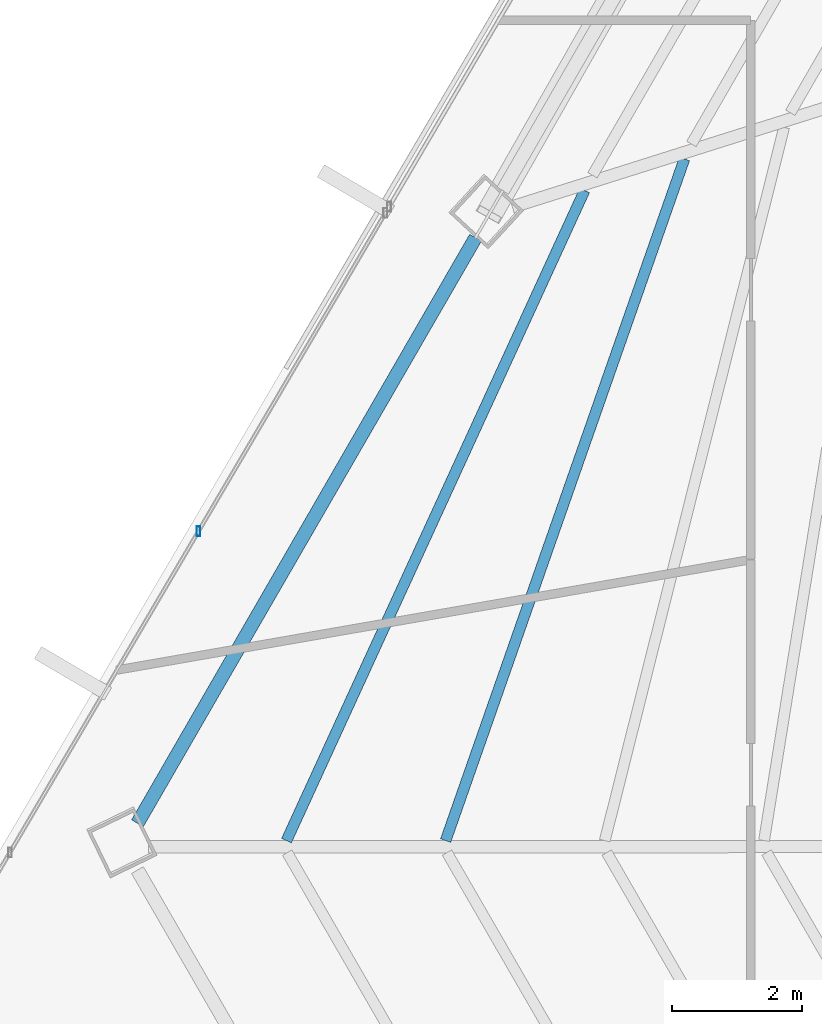
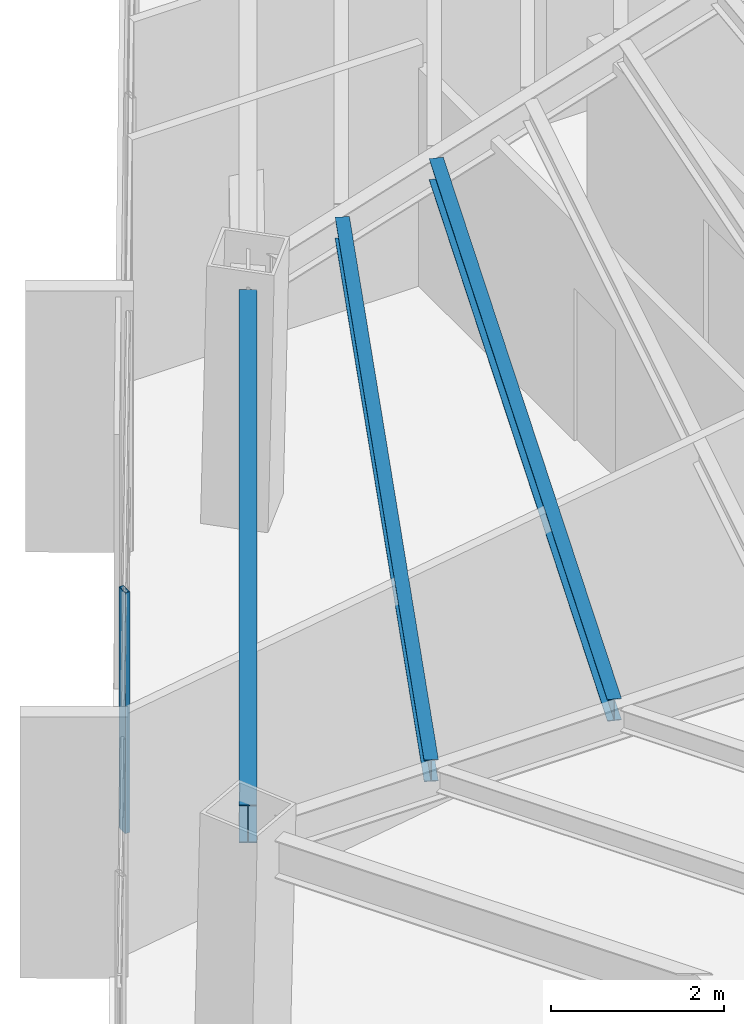
# One storey, part 13 of 42: 3 beams, 1 member, 1 element without a shape of its own.
"""IFC4 building model written with IfcOpenShell, lengths in metres."""

from ifc_helpers import new_model, si_unit, direction, frame, origin, origin_2d, place, context, subcontext, project, spatial, hollow_rectangle, i_section, extrude, source, transform, mapped, material, material_profile, profile_set, type_object, type_shapes, element, aggregate, save


model = new_model("IFC4")

# Units and contexts
model_context = context("Model", 3, precision=1e-05, world=origin(), true_north=direction((0.0, 1.0)))
body_context = subcontext(model_context, "Body", "Model", "MODEL_VIEW")
ifc_project = project(units=[si_unit("LENGTHUNIT", "METRE"), si_unit("AREAUNIT", "SQUARE_METRE"), si_unit("VOLUMEUNIT", "CUBIC_METRE"), si_unit("PLANEANGLEUNIT", "RADIAN"), si_unit("MASSUNIT", "GRAM", prefix="KILO")], contexts=[model_context])

# Site, building, storey
site_placement = place(None, origin())
site = spatial("IfcSite", under=ifc_project, at=site_placement, CompositionType="ELEMENT")
building_placement = place(site_placement, origin())
building = spatial("IfcBuilding", under=site, at=building_placement, Name="Caelisora Broadcast Tower", CompositionType="ELEMENT")
storey_placement = place(building_placement, frame((0.0, 0.0, 187.699951171875)))
storey = spatial("IfcBuildingStorey", under=building, at=storey_placement, Name="L49", CompositionType="ELEMENT", Elevation=187.699951171875)

# Beams
ifc_material_1 = material(Name="Steel Grade 350 (AS/NZS 3679.1)", Category="steel")
ifc_material_profile_1 = material_profile(ifc_material_1, i_section(OverallWidth=0.208984375, OverallDepth=0.532958984375, WebThickness=0.01025390625, FlangeThickness=0.015625, at=origin_2d()), Name="Steel Grade 350 (AS/NZS 3679.1)")
ifc_profile_set_1 = profile_set([ifc_material_profile_1], Name="Steel Grade 350 (AS/NZS 3679.1)")
beam_type_1 = type_object("IfcBeamType", Name="PG05", PredefinedType="BEAM", material=ifc_profile_set_1)
shared_shape_1 = source(origin(), body_context, "Body", "SweptSolid", [
    extrude(i_section(OverallWidth=0.208984375, OverallDepth=0.532958984375, WebThickness=0.01025390625, FlangeThickness=0.015625, at=origin_2d()), origin(), (0.0, 0.0, 1.0), 10.39306640625),
])
type_shapes(beam_type_1, [shared_shape_1])
beam_1_placement = place(storey_placement, frame((21.1669921875, 26.75732421875, 3.133544921875), z_axis=(-0.499996963119, -0.866027157121, 0.0), x_axis=(0.866027157121, -0.499996963119, 0.0)))
element("IfcBeam", 1, at=beam_1_placement, inside=storey, type_object=beam_type_1, Name="L49 beam PG05", PredefinedType="BEAM", context=body_context, shape_type="MappedRepresentation", body=[
    mapped(shared_shape_1, transform((0.0, 0.0, 0.0), scale=1.0)),
])
ifc_material_profile_2 = material_profile(ifc_material_1, i_section(OverallWidth=0.166015625, OverallDepth=0.30712890625, WebThickness=0.006591796875, FlangeThickness=0.01171875, at=origin_2d()), Name="Steel Grade 350 (AS/NZS 3679.1)")
ifc_profile_set_2 = profile_set([ifc_material_profile_2], Name="Steel Grade 350 (AS/NZS 3679.1)")
beam_type_2 = type_object("IfcBeamType", Name="SB03", PredefinedType="JOIST", material=ifc_profile_set_2)
shared_shape_2 = source(origin(), body_context, "Body", "SweptSolid", [
    extrude(i_section(OverallWidth=0.166015625, OverallDepth=0.30712890625, WebThickness=0.006591796875, FlangeThickness=0.01171875, at=origin_2d()), origin(), (0.0, 0.0, 1.0), 11.1025390625),
])
beam_2_placement = place(storey_placement, frame((24.378173828125, 27.968505859375, 3.246337890625), z_axis=(-0.33061193512, -0.943766787059, 0.0), x_axis=(0.943766787059, -0.33061193512, 0.0)))
element("IfcBeam", 2, at=beam_2_placement, inside=storey, type_object=beam_type_2, Name="L49 beam SB03", PredefinedType="JOIST", context=body_context, shape_type="MappedRepresentation", body=[
    mapped(shared_shape_2, transform((0.0, 0.0, 0.0), scale=1.0)),
])
shared_shape_3 = source(origin(), body_context, "Body", "SweptSolid", [
    extrude(i_section(OverallWidth=0.166015625, OverallDepth=0.30712890625, WebThickness=0.006591796875, FlangeThickness=0.01171875, at=origin_2d()), origin(), (0.0, 0.0, 1.0), 10.994140625),
])
type_shapes(beam_type_2, [shared_shape_2, shared_shape_3])
beam_3_placement = place(storey_placement, frame((22.84326171875, 27.483642578125, 3.246337890625), z_axis=(-0.416767108584, -0.909013298694, 0.0), x_axis=(0.909013298694, -0.416767108584, 0.0)))
element("IfcBeam", 3, at=beam_3_placement, inside=storey, type_object=beam_type_2, Name="L49 beam SB03", PredefinedType="JOIST", context=body_context, shape_type="MappedRepresentation", body=[
    mapped(shared_shape_3, transform((0.0, 0.0, 0.0), scale=1.0)),
])

# Curtain wall, member
ifc_material_2 = material(Name="Unitised Aluminium and Low-E Glass Curtain Wall", Category="glass")
curtain_wall_type = type_object("IfcCurtainWallType", Name="CW-Z4", PredefinedType="NOTDEFINED", material=ifc_material_2)
curtain_wall_placement = place(storey_placement, origin())
curtain_wall = element("IfcCurtainWall", 4, at=curtain_wall_placement, inside=storey, type_object=curtain_wall_type, Name="L49 curtain wall CW-Z4", PredefinedType="NOTDEFINED")
ifc_material_3 = material(Name="Aluminium 6063-T6 Anodised Terracotta Bronze", Category="aluminium")
ifc_material_profile_3 = material_profile(ifc_material_3, hollow_rectangle(XDim=0.06005859375, YDim=0.14990234375, WallThickness=0.00341796875, at=origin_2d()), Name="Aluminium 6063-T6 Anodised Terracotta Bronze")
ifc_profile_set_3 = profile_set([ifc_material_profile_3], Name="Aluminium 6063-T6 Anodised Terracotta Bronze")
member_type = type_object("IfcMemberType", Name="CWM-03", PredefinedType="MULLION", material=ifc_profile_set_3)
shared_shape_4 = source(origin(), body_context, "Body", "SweptSolid", [
    extrude(hollow_rectangle(XDim=0.06005859375, YDim=0.14990234375, WallThickness=0.00341796875, at=origin_2d()), origin(), (0.0, 0.0, 1.0), 3.400146484375),
])
type_shapes(member_type, [shared_shape_4])
member_placement = place(storey_placement, frame((16.908935546875, 22.24462890625, 0.0), z_axis=(0.0, 0.0, 1.0), x_axis=(1.0, 0.0, 0.0)))
member = element("IfcMember", 5, at=member_placement, type_object=member_type, Name="L49-CW-B09 mullion #2", PredefinedType="MULLION", context=body_context, shape_type="MappedRepresentation", body=[
    mapped(shared_shape_4, transform((0.0, 0.0, 0.0), scale=1.0)),
])
aggregate(curtain_wall, [member])

save(model, "model.ifc")
